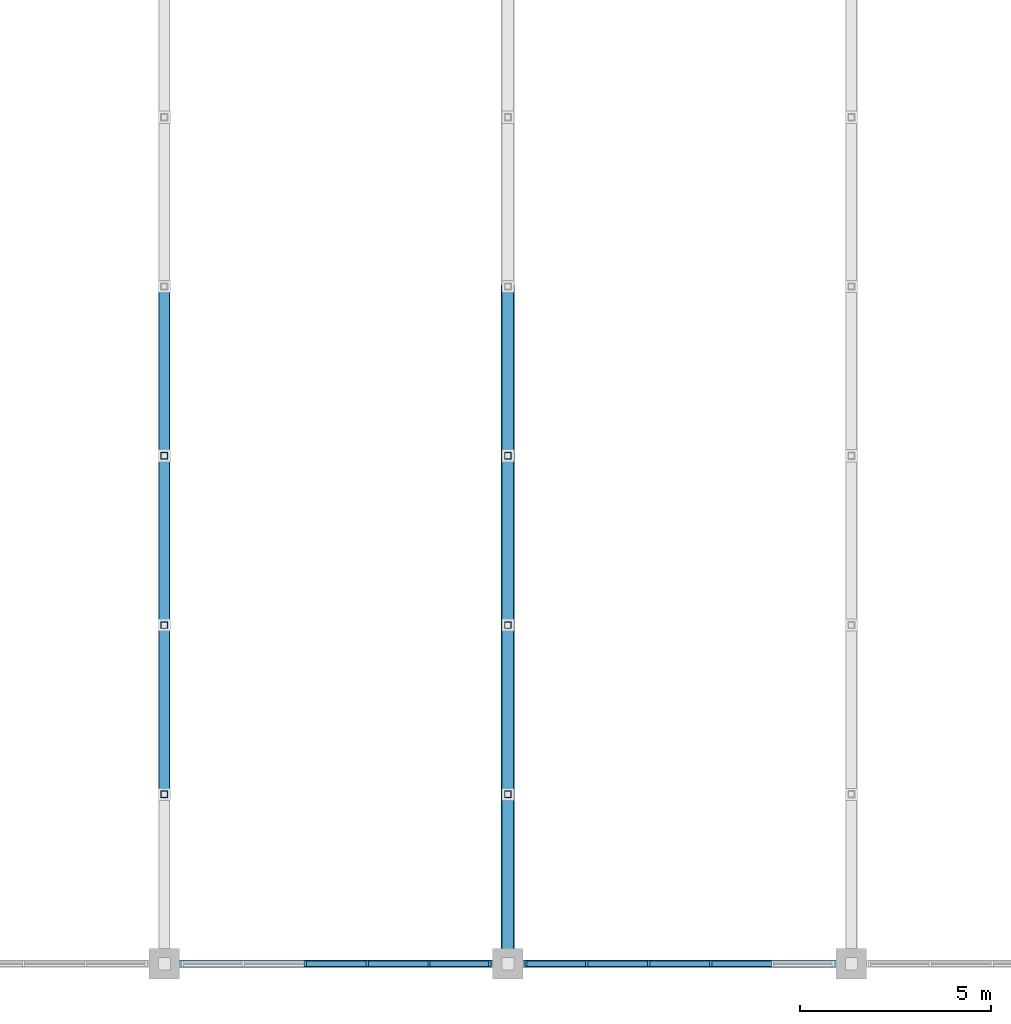
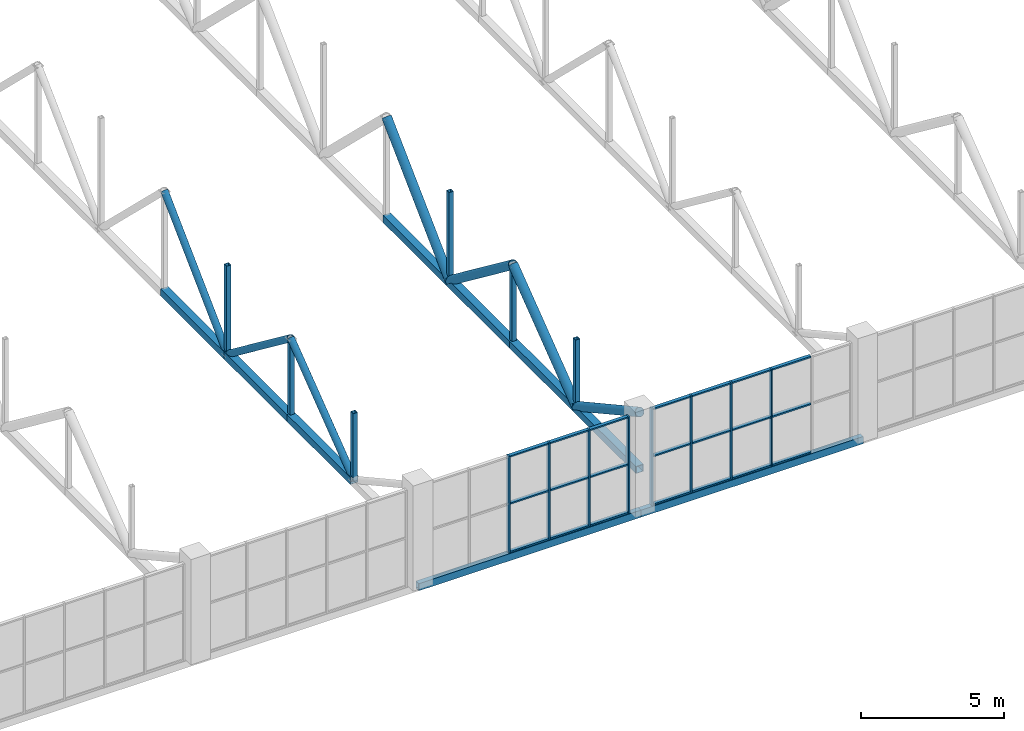
# One storey, part 51 of 103: 49 members, 2 beams, 2 elements without a shape of their own.
"""IFC4 building model written with IfcOpenShell, lengths in metres."""

from ifc_helpers import new_model, si_unit, direction, frame, origin, origin_2d, place, context, subcontext, project, spatial, rectangle, hollow_rectangle, hollow_circle, extrude, material, layer, layer_set, material_profile, profile_set, type_object, element, aggregate, save


model = new_model("IFC4")

# Units and contexts
model_context = context("Model", 3, precision=1e-05, world=origin(), true_north=direction((0.0, 1.0)))
body_context = subcontext(model_context, "Body", "Model", "MODEL_VIEW")
ifc_project = project(units=[si_unit("LENGTHUNIT", "METRE"), si_unit("AREAUNIT", "SQUARE_METRE"), si_unit("VOLUMEUNIT", "CUBIC_METRE"), si_unit("PLANEANGLEUNIT", "RADIAN"), si_unit("MASSUNIT", "GRAM", prefix="KILO")], contexts=[model_context])

# Site, building, storey
site_placement = place(None, origin())
site = spatial("IfcSite", under=ifc_project, at=site_placement, CompositionType="ELEMENT")
building_placement = place(site_placement, origin())
building = spatial("IfcBuilding", under=site, at=building_placement, Name="Cazmaro Siding Exhibition Halls", CompositionType="ELEMENT")
storey_placement = place(building_placement, frame((0.0, 0.0, 16.5)))
storey = spatial("IfcBuildingStorey", under=building, at=storey_placement, Name="L03", CompositionType="ELEMENT", Elevation=16.5)

# Curtain wall, members
ifc_material_1 = material(Name="Anodized Bronze Aluminum and Solar-Control Low-E Glazing", Category="aluminium")
ifc_layer = layer(ifc_material_1, 0.159912109375)
ifc_layer_set = layer_set([ifc_layer], Name="Anodized Bronze Aluminum and Solar-Control Low-E Glazing")
curtain_wall_type = type_object("IfcCurtainWallType", Name="CWS-04", PredefinedType="USERDEFINED", material=ifc_layer_set)
curtain_wall_1_placement = place(storey_placement, origin())
curtain_wall_1 = element("IfcCurtainWall", 1, at=curtain_wall_1_placement, inside=storey, type_object=curtain_wall_type, Name="Clerestory Curtain Wall CWS-04 CW-096", ObjectType="CLERESTORY CURTAIN WALL", PredefinedType="USERDEFINED")
ifc_material_2 = material(Name="Anodized Bronze Extruded Aluminum", Category="aluminium")
ifc_material_profile_1 = material_profile(ifc_material_2, rectangle(XDim=0.159912109375, YDim=0.06005859375, at=origin_2d()), Name="CWM-04")
ifc_profile_set_1 = profile_set([ifc_material_profile_1], Name="Anodized Bronze Extruded Aluminum")
member_type_1 = type_object("IfcMemberType", Name="CWM-04", PredefinedType="MULLION", material=ifc_profile_set_1)
member_1_placement = place(storey_placement, frame((147.68896484375, 9.25, 0.0), z_axis=(0.0, 0.0, 1.0), x_axis=(0.0, 1.0, 0.0)))
member_1 = element("IfcMember", 2, at=member_1_placement, type_object=member_type_1, Name="CWS-04 mullion 3", PredefinedType="MULLION", context=body_context, shape_type="SweptSolid", body=[
    extrude(rectangle(XDim=0.159912109375, YDim=0.06005859375, at=origin_2d()), origin(), (0.0, 0.0, 1.0), 4.14990234375),
])
member_2_placement = place(storey_placement, frame((149.31103515625, 9.25, 0.0), z_axis=(0.0, 0.0, 1.0), x_axis=(0.0, 1.0, 0.0)))
member_2 = element("IfcMember", 3, at=member_2_placement, type_object=member_type_1, Name="CWS-04 mullion 4", PredefinedType="MULLION", context=body_context, shape_type="SweptSolid", body=[
    extrude(rectangle(XDim=0.159912109375, YDim=0.06005859375, at=origin_2d()), origin(), (0.0, 0.0, 1.0), 4.14990234375),
])
member_3_placement = place(storey_placement, frame((150.93310546875, 9.25, 0.0), z_axis=(0.0, 0.0, 1.0), x_axis=(0.0, 1.0, 0.0)))
member_3 = element("IfcMember", 4, at=member_3_placement, type_object=member_type_1, Name="CWS-04 mullion 5", PredefinedType="MULLION", context=body_context, shape_type="SweptSolid", body=[
    extrude(rectangle(XDim=0.159912109375, YDim=0.06005859375, at=origin_2d()), origin(), (0.0, 0.0, 1.0), 4.14990234375),
])
member_4_placement = place(storey_placement, frame((152.52490234375, 9.25, 0.0), z_axis=(0.0, 0.0, 1.0), x_axis=(0.0, 1.0, 0.0)))
member_4 = element("IfcMember", 5, at=member_4_placement, type_object=member_type_1, Name="CWS-04 mullion 6", PredefinedType="MULLION", context=body_context, shape_type="SweptSolid", body=[
    extrude(rectangle(XDim=0.159912109375, YDim=0.06005859375, at=origin_2d()), origin(), (0.0, 0.0, 1.0), 4.14990234375),
])

curtain_wall_2_placement = place(storey_placement, origin())
curtain_wall_2 = element("IfcCurtainWall", 6, at=curtain_wall_2_placement, inside=storey, type_object=curtain_wall_type, Name="Clerestory Curtain Wall CWS-04 CW-098", ObjectType="CLERESTORY CURTAIN WALL", PredefinedType="USERDEFINED")
member_5_placement = place(storey_placement, frame((153.47509765625, 9.25, 0.0), z_axis=(0.0, 0.0, 1.0), x_axis=(0.0, 1.0, 0.0)))
member_5 = element("IfcMember", 7, at=member_5_placement, type_object=member_type_1, Name="CWS-04 mullion 1", PredefinedType="MULLION", context=body_context, shape_type="SweptSolid", body=[
    extrude(rectangle(XDim=0.159912109375, YDim=0.06005859375, at=origin_2d()), origin(), (0.0, 0.0, 1.0), 4.14990234375),
])
member_6_placement = place(storey_placement, frame((155.06689453125, 9.25, 0.0), z_axis=(0.0, 0.0, 1.0), x_axis=(0.0, 1.0, 0.0)))
member_6 = element("IfcMember", 8, at=member_6_placement, type_object=member_type_1, Name="CWS-04 mullion 2", PredefinedType="MULLION", context=body_context, shape_type="SweptSolid", body=[
    extrude(rectangle(XDim=0.159912109375, YDim=0.06005859375, at=origin_2d()), origin(), (0.0, 0.0, 1.0), 4.14990234375),
])
member_7_placement = place(storey_placement, frame((156.68896484375, 9.25, 0.0), z_axis=(0.0, 0.0, 1.0), x_axis=(0.0, 1.0, 0.0)))
member_7 = element("IfcMember", 9, at=member_7_placement, type_object=member_type_1, Name="CWS-04 mullion 3", PredefinedType="MULLION", context=body_context, shape_type="SweptSolid", body=[
    extrude(rectangle(XDim=0.159912109375, YDim=0.06005859375, at=origin_2d()), origin(), (0.0, 0.0, 1.0), 4.14990234375),
])
member_8_placement = place(storey_placement, frame((158.31103515625, 9.25, 0.0), z_axis=(0.0, 0.0, 1.0), x_axis=(0.0, 1.0, 0.0)))
member_8 = element("IfcMember", 10, at=member_8_placement, type_object=member_type_1, Name="CWS-04 mullion 4", PredefinedType="MULLION", context=body_context, shape_type="SweptSolid", body=[
    extrude(rectangle(XDim=0.159912109375, YDim=0.06005859375, at=origin_2d()), origin(), (0.0, 0.0, 1.0), 4.14990234375),
])

# Member
ifc_material_3 = material(Name="Anodized Bronze Extruded Aluminum", Category="aluminium")
ifc_material_profile_2 = material_profile(ifc_material_3, rectangle(XDim=0.139892578125, YDim=0.06005859375, at=origin_2d()), Name="CWT-04")
ifc_profile_set_2 = profile_set([ifc_material_profile_2], Name="Anodized Bronze Extruded Aluminum")
member_type_2 = type_object("IfcMemberType", Name="CWT-04", PredefinedType="MULLION", material=ifc_profile_set_2)
member_9_placement = place(storey_placement, frame((147.718994140625, 9.25, 0.030029296875), z_axis=(1.0, 0.0, 0.0), x_axis=(0.0, 1.0, 0.0)))
member_9 = element("IfcMember", 11, at=member_9_placement, type_object=member_type_2, Name="CWS-04 transom 3.1", ObjectType="TRANSOM", PredefinedType="USERDEFINED", context=body_context, shape_type="SweptSolid", body=[
    extrude(rectangle(XDim=0.139892578125, YDim=0.06005859375, at=origin_2d()), origin(), (0.0, 0.0, 1.0), 1.56201171875),
])

member_10_placement = place(storey_placement, frame((147.718994140625, 9.25, 2.10009765625), z_axis=(1.0, 0.0, 0.0), x_axis=(0.0, 1.0, 0.0)))
member_10 = element("IfcMember", 12, at=member_10_placement, type_object=member_type_2, Name="CWS-04 transom 3.2", ObjectType="TRANSOM", PredefinedType="USERDEFINED", context=body_context, shape_type="SweptSolid", body=[
    extrude(rectangle(XDim=0.139892578125, YDim=0.06005859375, at=origin_2d()), origin(), (0.0, 0.0, 1.0), 1.56201171875),
])

member_11_placement = place(storey_placement, frame((147.718994140625, 9.25, 4.1201171875), z_axis=(1.0, 0.0, 0.0), x_axis=(0.0, 1.0, 0.0)))
member_11 = element("IfcMember", 13, at=member_11_placement, type_object=member_type_2, Name="CWS-04 transom 3.3", ObjectType="TRANSOM", PredefinedType="USERDEFINED", context=body_context, shape_type="SweptSolid", body=[
    extrude(rectangle(XDim=0.139892578125, YDim=0.06005859375, at=origin_2d()), origin(), (0.0, 0.0, 1.0), 1.56201171875),
])

member_12_placement = place(storey_placement, frame((149.341064453125, 9.25, 0.030029296875), z_axis=(1.0, 0.0, 0.0), x_axis=(0.0, 1.0, 0.0)))
member_12 = element("IfcMember", 14, at=member_12_placement, type_object=member_type_2, Name="CWS-04 transom 4.1", ObjectType="TRANSOM", PredefinedType="USERDEFINED", context=body_context, shape_type="SweptSolid", body=[
    extrude(rectangle(XDim=0.139892578125, YDim=0.06005859375, at=origin_2d()), origin(), (0.0, 0.0, 1.0), 1.56201171875),
])

member_13_placement = place(storey_placement, frame((149.341064453125, 9.25, 2.10009765625), z_axis=(1.0, 0.0, 0.0), x_axis=(0.0, 1.0, 0.0)))
member_13 = element("IfcMember", 15, at=member_13_placement, type_object=member_type_2, Name="CWS-04 transom 4.2", ObjectType="TRANSOM", PredefinedType="USERDEFINED", context=body_context, shape_type="SweptSolid", body=[
    extrude(rectangle(XDim=0.139892578125, YDim=0.06005859375, at=origin_2d()), origin(), (0.0, 0.0, 1.0), 1.56201171875),
])

member_14_placement = place(storey_placement, frame((149.341064453125, 9.25, 4.1201171875), z_axis=(1.0, 0.0, 0.0), x_axis=(0.0, 1.0, 0.0)))
member_14 = element("IfcMember", 16, at=member_14_placement, type_object=member_type_2, Name="CWS-04 transom 4.3", ObjectType="TRANSOM", PredefinedType="USERDEFINED", context=body_context, shape_type="SweptSolid", body=[
    extrude(rectangle(XDim=0.139892578125, YDim=0.06005859375, at=origin_2d()), origin(), (0.0, 0.0, 1.0), 1.56201171875),
])

member_15_placement = place(storey_placement, frame((150.962890625, 9.25, 0.030029296875), z_axis=(1.0, 0.0, 0.0), x_axis=(0.0, 1.0, 0.0)))
member_15 = element("IfcMember", 17, at=member_15_placement, type_object=member_type_2, Name="CWS-04 transom 5.1", ObjectType="TRANSOM", PredefinedType="USERDEFINED", context=body_context, shape_type="SweptSolid", body=[
    extrude(rectangle(XDim=0.139892578125, YDim=0.06005859375, at=origin_2d()), origin(), (0.0, 0.0, 1.0), 1.5322265625),
])

member_16_placement = place(storey_placement, frame((150.962890625, 9.25, 2.10009765625), z_axis=(1.0, 0.0, 0.0), x_axis=(0.0, 1.0, 0.0)))
member_16 = element("IfcMember", 18, at=member_16_placement, type_object=member_type_2, Name="CWS-04 transom 5.2", ObjectType="TRANSOM", PredefinedType="USERDEFINED", context=body_context, shape_type="SweptSolid", body=[
    extrude(rectangle(XDim=0.139892578125, YDim=0.06005859375, at=origin_2d()), origin(), (0.0, 0.0, 1.0), 1.5322265625),
])

member_17_placement = place(storey_placement, frame((150.962890625, 9.25, 4.1201171875), z_axis=(1.0, 0.0, 0.0), x_axis=(0.0, 1.0, 0.0)))
member_17 = element("IfcMember", 19, at=member_17_placement, type_object=member_type_2, Name="CWS-04 transom 5.3", ObjectType="TRANSOM", PredefinedType="USERDEFINED", context=body_context, shape_type="SweptSolid", body=[
    extrude(rectangle(XDim=0.139892578125, YDim=0.06005859375, at=origin_2d()), origin(), (0.0, 0.0, 1.0), 1.5322265625),
])

aggregate(curtain_wall_1, [member_1, member_2, member_3, member_4, member_9, member_10, member_11, member_12, member_13, member_14, member_15, member_16, member_17])

member_18_placement = place(storey_placement, frame((153.5048828125, 9.25, 0.030029296875), z_axis=(1.0, 0.0, 0.0), x_axis=(0.0, 1.0, 0.0)))
member_18 = element("IfcMember", 20, at=member_18_placement, type_object=member_type_2, Name="CWS-04 transom 1.1", ObjectType="TRANSOM", PredefinedType="USERDEFINED", context=body_context, shape_type="SweptSolid", body=[
    extrude(rectangle(XDim=0.139892578125, YDim=0.06005859375, at=origin_2d()), origin(), (0.0, 0.0, 1.0), 1.5322265625),
])

member_19_placement = place(storey_placement, frame((153.5048828125, 9.25, 2.10009765625), z_axis=(1.0, 0.0, 0.0), x_axis=(0.0, 1.0, 0.0)))
member_19 = element("IfcMember", 21, at=member_19_placement, type_object=member_type_2, Name="CWS-04 transom 1.2", ObjectType="TRANSOM", PredefinedType="USERDEFINED", context=body_context, shape_type="SweptSolid", body=[
    extrude(rectangle(XDim=0.139892578125, YDim=0.06005859375, at=origin_2d()), origin(), (0.0, 0.0, 1.0), 1.5322265625),
])

member_20_placement = place(storey_placement, frame((153.5048828125, 9.25, 4.1201171875), z_axis=(1.0, 0.0, 0.0), x_axis=(0.0, 1.0, 0.0)))
member_20 = element("IfcMember", 22, at=member_20_placement, type_object=member_type_2, Name="CWS-04 transom 1.3", ObjectType="TRANSOM", PredefinedType="USERDEFINED", context=body_context, shape_type="SweptSolid", body=[
    extrude(rectangle(XDim=0.139892578125, YDim=0.06005859375, at=origin_2d()), origin(), (0.0, 0.0, 1.0), 1.5322265625),
])

member_21_placement = place(storey_placement, frame((155.096923828125, 9.25, 0.030029296875), z_axis=(1.0, 0.0, 0.0), x_axis=(0.0, 1.0, 0.0)))
member_21 = element("IfcMember", 23, at=member_21_placement, type_object=member_type_2, Name="CWS-04 transom 2.1", ObjectType="TRANSOM", PredefinedType="USERDEFINED", context=body_context, shape_type="SweptSolid", body=[
    extrude(rectangle(XDim=0.139892578125, YDim=0.06005859375, at=origin_2d()), origin(), (0.0, 0.0, 1.0), 1.56201171875),
])

member_22_placement = place(storey_placement, frame((155.096923828125, 9.25, 2.10009765625), z_axis=(1.0, 0.0, 0.0), x_axis=(0.0, 1.0, 0.0)))
member_22 = element("IfcMember", 24, at=member_22_placement, type_object=member_type_2, Name="CWS-04 transom 2.2", ObjectType="TRANSOM", PredefinedType="USERDEFINED", context=body_context, shape_type="SweptSolid", body=[
    extrude(rectangle(XDim=0.139892578125, YDim=0.06005859375, at=origin_2d()), origin(), (0.0, 0.0, 1.0), 1.56201171875),
])

member_23_placement = place(storey_placement, frame((155.096923828125, 9.25, 4.1201171875), z_axis=(1.0, 0.0, 0.0), x_axis=(0.0, 1.0, 0.0)))
member_23 = element("IfcMember", 25, at=member_23_placement, type_object=member_type_2, Name="CWS-04 transom 2.3", ObjectType="TRANSOM", PredefinedType="USERDEFINED", context=body_context, shape_type="SweptSolid", body=[
    extrude(rectangle(XDim=0.139892578125, YDim=0.06005859375, at=origin_2d()), origin(), (0.0, 0.0, 1.0), 1.56201171875),
])

member_24_placement = place(storey_placement, frame((156.718994140625, 9.25, 0.030029296875), z_axis=(1.0, 0.0, 0.0), x_axis=(0.0, 1.0, 0.0)))
member_24 = element("IfcMember", 26, at=member_24_placement, type_object=member_type_2, Name="CWS-04 transom 3.1", ObjectType="TRANSOM", PredefinedType="USERDEFINED", context=body_context, shape_type="SweptSolid", body=[
    extrude(rectangle(XDim=0.139892578125, YDim=0.06005859375, at=origin_2d()), origin(), (0.0, 0.0, 1.0), 1.56201171875),
])

member_25_placement = place(storey_placement, frame((156.718994140625, 9.25, 2.10009765625), z_axis=(1.0, 0.0, 0.0), x_axis=(0.0, 1.0, 0.0)))
member_25 = element("IfcMember", 27, at=member_25_placement, type_object=member_type_2, Name="CWS-04 transom 3.2", ObjectType="TRANSOM", PredefinedType="USERDEFINED", context=body_context, shape_type="SweptSolid", body=[
    extrude(rectangle(XDim=0.139892578125, YDim=0.06005859375, at=origin_2d()), origin(), (0.0, 0.0, 1.0), 1.56201171875),
])

member_26_placement = place(storey_placement, frame((156.718994140625, 9.25, 4.1201171875), z_axis=(1.0, 0.0, 0.0), x_axis=(0.0, 1.0, 0.0)))
member_26 = element("IfcMember", 28, at=member_26_placement, type_object=member_type_2, Name="CWS-04 transom 3.3", ObjectType="TRANSOM", PredefinedType="USERDEFINED", context=body_context, shape_type="SweptSolid", body=[
    extrude(rectangle(XDim=0.139892578125, YDim=0.06005859375, at=origin_2d()), origin(), (0.0, 0.0, 1.0), 1.56201171875),
])

member_27_placement = place(storey_placement, frame((158.341064453125, 9.25, 0.030029296875), z_axis=(1.0, 0.0, 0.0), x_axis=(0.0, 1.0, 0.0)))
member_27 = element("IfcMember", 29, at=member_27_placement, type_object=member_type_2, Name="CWS-04 transom 4.1", ObjectType="TRANSOM", PredefinedType="USERDEFINED", context=body_context, shape_type="SweptSolid", body=[
    extrude(rectangle(XDim=0.139892578125, YDim=0.06005859375, at=origin_2d()), origin(), (0.0, 0.0, 1.0), 1.56201171875),
])

member_28_placement = place(storey_placement, frame((158.341064453125, 9.25, 2.10009765625), z_axis=(1.0, 0.0, 0.0), x_axis=(0.0, 1.0, 0.0)))
member_28 = element("IfcMember", 30, at=member_28_placement, type_object=member_type_2, Name="CWS-04 transom 4.2", ObjectType="TRANSOM", PredefinedType="USERDEFINED", context=body_context, shape_type="SweptSolid", body=[
    extrude(rectangle(XDim=0.139892578125, YDim=0.06005859375, at=origin_2d()), origin(), (0.0, 0.0, 1.0), 1.56201171875),
])

member_29_placement = place(storey_placement, frame((158.341064453125, 9.25, 4.1201171875), z_axis=(1.0, 0.0, 0.0), x_axis=(0.0, 1.0, 0.0)))
member_29 = element("IfcMember", 31, at=member_29_placement, type_object=member_type_2, Name="CWS-04 transom 4.3", ObjectType="TRANSOM", PredefinedType="USERDEFINED", context=body_context, shape_type="SweptSolid", body=[
    extrude(rectangle(XDim=0.139892578125, YDim=0.06005859375, at=origin_2d()), origin(), (0.0, 0.0, 1.0), 1.56201171875),
])

aggregate(curtain_wall_2, [member_5, member_6, member_7, member_8, member_18, member_19, member_20, member_21, member_22, member_23, member_24, member_25, member_26, member_27, member_28, member_29])

# Beams
ifc_material_4 = material(Name="Steel ASTM A500 Grade C", Category="steel")
ifc_material_profile_3 = material_profile(ifc_material_4, hollow_rectangle(XDim=0.202880859375, YDim=0.304931640625, WallThickness=0.011962890625, at=origin_2d()), Name="HSS12X8X1/2")
ifc_profile_set_3 = profile_set([ifc_material_profile_3], Name="Steel ASTM A500 Grade C")
beam_type = type_object("IfcBeamType", Name="SP-01", PredefinedType="SPANDREL", material=ifc_profile_set_3)
for number, where, z_axis, x_axis, name in (
    (32, (144.0, 9.25, -0.152099609375), (1.0, 0.0, 0.0), (0.0, 1.0, 0.0), "Beam SP-01 BM-1515"),
    (33, (153.0, 9.25, -0.152099609375), (1.0, 0.0, 0.0), (0.0, 1.0, 0.0), "Beam SP-01 BM-1519"),
):
    element("IfcBeam", number, at=place(storey_placement, frame(where, z_axis=z_axis, x_axis=x_axis)), inside=storey, type_object=beam_type, Name=name, PredefinedType="SPANDREL", context=body_context, shape_type="SweptSolid", body=[
        extrude(hollow_rectangle(XDim=0.202880859375, YDim=0.304931640625, WallThickness=0.011962890625, at=origin_2d()), origin(), (0.0, 0.0, 1.0), 9.0),
    ])

# Members
ifc_material_5 = material(Name="Steel ASTM A500 Grade C", Category="steel")
ifc_material_profile_4 = material_profile(ifc_material_5, hollow_rectangle(XDim=0.304931640625, YDim=0.304931640625, WallThickness=0.014892578125, at=origin_2d()), Name="HSS12X12X5/8")
ifc_profile_set_4 = profile_set([ifc_material_profile_4], Name="Steel ASTM A500 Grade C")
member_type_3 = type_object("IfcMemberType", Name="TC-02", PredefinedType="CHORD", material=ifc_profile_set_4)
member_30_placement = place(storey_placement, frame((144.0, 13.68505859375, 1.699951171875), z_axis=(0.0, 1.0, 0.0), x_axis=(-1.0, 0.0, 0.0)))
element("IfcMember", 34, at=member_30_placement, inside=storey, type_object=member_type_3, Name="Warren roof truss bottom chord TC-02 MEM-2618", PredefinedType="CHORD", context=body_context, shape_type="SweptSolid", body=[
    extrude(hollow_rectangle(XDim=0.304931640625, YDim=0.304931640625, WallThickness=0.014892578125, at=origin_2d()), origin(), (0.0, 0.0, 1.0), 4.43505859375),
])
member_31_placement = place(storey_placement, frame((144.0, 18.1201171875, 1.699951171875), z_axis=(0.0, 1.0, 0.0), x_axis=(-1.0, 0.0, 0.0)))
element("IfcMember", 35, at=member_31_placement, inside=storey, type_object=member_type_3, Name="Warren roof truss bottom chord TC-02 MEM-2621", PredefinedType="CHORD", context=body_context, shape_type="SweptSolid", body=[
    extrude(hollow_rectangle(XDim=0.304931640625, YDim=0.304931640625, WallThickness=0.014892578125, at=origin_2d()), origin(), (0.0, 0.0, 1.0), 4.434814453125),
])
for number, where, z_axis, x_axis, name in (
    (36, (144.0, 22.554931640625, 1.699951171875), (0.0, 1.0, 0.0), (-1.0, 0.0, 0.0), "Warren roof truss bottom chord TC-02 MEM-2624"),
    (37, (153.0, 9.25, 1.699951171875), (0.0, 1.0, 0.0), (-1.0, 0.0, 0.0), "Warren roof truss bottom chord TC-02 MEM-2654"),
    (38, (153.0, 13.68505859375, 1.699951171875), (0.0, 1.0, 0.0), (-1.0, 0.0, 0.0), "Warren roof truss bottom chord TC-02 MEM-2657"),
):
    element("IfcMember", number, at=place(storey_placement, frame(where, z_axis=z_axis, x_axis=x_axis)), inside=storey, type_object=member_type_3, Name=name, PredefinedType="CHORD", context=body_context, shape_type="SweptSolid", body=[
        extrude(hollow_rectangle(XDim=0.304931640625, YDim=0.304931640625, WallThickness=0.014892578125, at=origin_2d()), origin(), (0.0, 0.0, 1.0), 4.43505859375),
    ])
member_32_placement = place(storey_placement, frame((153.0, 18.1201171875, 1.699951171875), z_axis=(0.0, 1.0, 0.0), x_axis=(-1.0, 0.0, 0.0)))
element("IfcMember", 39, at=member_32_placement, inside=storey, type_object=member_type_3, Name="Warren roof truss bottom chord TC-02 MEM-2660", PredefinedType="CHORD", context=body_context, shape_type="SweptSolid", body=[
    extrude(hollow_rectangle(XDim=0.304931640625, YDim=0.304931640625, WallThickness=0.014892578125, at=origin_2d()), origin(), (0.0, 0.0, 1.0), 4.434814453125),
])
member_33_placement = place(storey_placement, frame((153.0, 22.554931640625, 1.699951171875), z_axis=(0.0, 1.0, 0.0), x_axis=(-1.0, 0.0, 0.0)))
element("IfcMember", 40, at=member_33_placement, inside=storey, type_object=member_type_3, Name="Warren roof truss bottom chord TC-02 MEM-2663", PredefinedType="CHORD", context=body_context, shape_type="SweptSolid", body=[
    extrude(hollow_rectangle(XDim=0.304931640625, YDim=0.304931640625, WallThickness=0.014892578125, at=origin_2d()), origin(), (0.0, 0.0, 1.0), 4.43505859375),
])
ifc_material_6 = material(Name="Steel ASTM A500 Grade C", Category="steel")
ifc_material_profile_5 = material_profile(ifc_material_6, hollow_rectangle(XDim=0.177978515625, YDim=0.177978515625, WallThickness=0.011962890625, at=origin_2d()), Name="HSS7X7X1/2")
ifc_profile_set_5 = profile_set([ifc_material_profile_5], Name="Steel ASTM A500 Grade C")
member_type_4 = type_object("IfcMemberType", Name="TP-02", PredefinedType="POST", material=ifc_profile_set_5)
member_34_placement = place(storey_placement, frame((144.0, 13.68505859375, 1.699951171875), z_axis=(0.0, 0.0, 1.0), x_axis=(1.0, 0.0, 0.0)))
element("IfcMember", 41, at=member_34_placement, inside=storey, type_object=member_type_4, Name="Warren roof truss vertical TP-02 MEM-2644", PredefinedType="POST", context=body_context, shape_type="SweptSolid", body=[
    extrude(hollow_rectangle(XDim=0.177978515625, YDim=0.177978515625, WallThickness=0.011962890625, at=origin_2d()), origin(), (0.0, 0.0, 1.0), 2.906005859375),
])
member_35_placement = place(storey_placement, frame((144.0, 18.1201171875, 1.699951171875), z_axis=(0.0, 0.0, 1.0), x_axis=(1.0, 0.0, 0.0)))
element("IfcMember", 42, at=member_35_placement, inside=storey, type_object=member_type_4, Name="Warren roof truss vertical TP-02 MEM-2645", PredefinedType="POST", context=body_context, shape_type="SweptSolid", body=[
    extrude(hollow_rectangle(XDim=0.177978515625, YDim=0.177978515625, WallThickness=0.011962890625, at=origin_2d()), origin(), (0.0, 0.0, 1.0), 3.373046875),
])
member_36_placement = place(storey_placement, frame((144.0, 22.554931640625, 1.699951171875), z_axis=(0.0, 0.0, 1.0), x_axis=(1.0, 0.0, 0.0)))
element("IfcMember", 43, at=member_36_placement, inside=storey, type_object=member_type_4, Name="Warren roof truss vertical TP-02 MEM-2646", PredefinedType="POST", context=body_context, shape_type="SweptSolid", body=[
    extrude(hollow_rectangle(XDim=0.177978515625, YDim=0.177978515625, WallThickness=0.011962890625, at=origin_2d()), origin(), (0.0, 0.0, 1.0), 3.839111328125),
])
member_37_placement = place(storey_placement, frame((153.0, 13.68505859375, 1.699951171875), z_axis=(0.0, 0.0, 1.0), x_axis=(1.0, 0.0, 0.0)))
element("IfcMember", 44, at=member_37_placement, inside=storey, type_object=member_type_4, Name="Warren roof truss vertical TP-02 MEM-2683", PredefinedType="POST", context=body_context, shape_type="SweptSolid", body=[
    extrude(hollow_rectangle(XDim=0.177978515625, YDim=0.177978515625, WallThickness=0.011962890625, at=origin_2d()), origin(), (0.0, 0.0, 1.0), 2.906005859375),
])
member_38_placement = place(storey_placement, frame((153.0, 18.1201171875, 1.699951171875), z_axis=(0.0, 0.0, 1.0), x_axis=(1.0, 0.0, 0.0)))
element("IfcMember", 45, at=member_38_placement, inside=storey, type_object=member_type_4, Name="Warren roof truss vertical TP-02 MEM-2684", PredefinedType="POST", context=body_context, shape_type="SweptSolid", body=[
    extrude(hollow_rectangle(XDim=0.177978515625, YDim=0.177978515625, WallThickness=0.011962890625, at=origin_2d()), origin(), (0.0, 0.0, 1.0), 3.373046875),
])
member_39_placement = place(storey_placement, frame((153.0, 22.554931640625, 1.699951171875), z_axis=(0.0, 0.0, 1.0), x_axis=(1.0, 0.0, 0.0)))
element("IfcMember", 46, at=member_39_placement, inside=storey, type_object=member_type_4, Name="Warren roof truss vertical TP-02 MEM-2685", PredefinedType="POST", context=body_context, shape_type="SweptSolid", body=[
    extrude(hollow_rectangle(XDim=0.177978515625, YDim=0.177978515625, WallThickness=0.011962890625, at=origin_2d()), origin(), (0.0, 0.0, 1.0), 3.839111328125),
])
ifc_material_7 = material(Name="Steel ASTM A500 Grade C", Category="steel")
ifc_material_profile_6 = material_profile(ifc_material_7, hollow_circle(Radius=0.136474609375, WallThickness=0.012939453125, at=origin_2d()), Name="PIPE10XS")
ifc_profile_set_6 = profile_set([ifc_material_profile_6], Name="Steel ASTM A500 Grade C")
member_type_5 = type_object("IfcMemberType", Name="WB-02", PredefinedType="BRACE", material=ifc_profile_set_6)
member_40_placement = place(storey_placement, frame((144.0, 13.68505859375, 1.699951171875), z_axis=(0.0, 0.795954445209, 0.605356524002), x_axis=(-1.0, 0.0, 0.0)))
element("IfcMember", 47, at=member_40_placement, inside=storey, type_object=member_type_5, Name="Warren roof truss diagonal WB-02 MEM-2619", PredefinedType="BRACE", context=body_context, shape_type="SweptSolid", body=[
    extrude(hollow_circle(Radius=0.136474609375, WallThickness=0.012939453125, at=origin_2d()), origin(), (0.0, 0.0, 1.0), 5.572021484375),
])
member_41_placement = place(storey_placement, frame((144.0, 18.1201171875, 5.072998046875), z_axis=(0.0, 0.795938387852, -0.605377636475), x_axis=(-1.0, 0.0, 0.0)))
element("IfcMember", 48, at=member_41_placement, inside=storey, type_object=member_type_5, Name="Warren roof truss diagonal WB-02 MEM-2622", PredefinedType="BRACE", context=body_context, shape_type="SweptSolid", body=[
    extrude(hollow_circle(Radius=0.136474609375, WallThickness=0.012939453125, at=origin_2d()), origin(), (0.0, 0.0, 1.0), 5.57177734375),
])
member_42_placement = place(storey_placement, frame((144.0, 22.554931640625, 1.699951171875), z_axis=(0.0, 0.717555143773, 0.696501698236), x_axis=(-1.0, 0.0, 0.0)))
element("IfcMember", 49, at=member_42_placement, inside=storey, type_object=member_type_5, Name="Warren roof truss diagonal WB-02 MEM-2625", PredefinedType="BRACE", context=body_context, shape_type="SweptSolid", body=[
    extrude(hollow_circle(Radius=0.136474609375, WallThickness=0.012939453125, at=origin_2d()), origin(), (0.0, 0.0, 1.0), 6.180908203125),
])
ifc_material_8 = material(Name="Steel ASTM A500 Grade C", Category="steel")
ifc_material_profile_7 = material_profile(ifc_material_8, hollow_circle(Radius=0.177978515625, WallThickness=0.012939453125, at=origin_2d()), Name="PIPE14XS")
ifc_profile_set_7 = profile_set([ifc_material_profile_7], Name="Steel ASTM A500 Grade C")
member_type_6 = type_object("IfcMemberType", Name="WB-06", PredefinedType="BRACE", material=ifc_profile_set_7)
member_43_placement = place(storey_placement, frame((153.0, 9.25, 4.139892578125), z_axis=(0.0, 0.876160914294, -0.482018726051), x_axis=(-1.0, 0.0, 0.0)))
element("IfcMember", 50, at=member_43_placement, inside=storey, type_object=member_type_6, Name="Warren roof truss diagonal WB-06 MEM-2655", PredefinedType="BRACE", context=body_context, shape_type="SweptSolid", body=[
    extrude(hollow_circle(Radius=0.177978515625, WallThickness=0.012939453125, at=origin_2d()), origin(), (0.0, 0.0, 1.0), 5.06201171875),
])
member_44_placement = place(storey_placement, frame((153.0, 13.68505859375, 1.699951171875), z_axis=(0.0, 0.795954445209, 0.605356524002), x_axis=(-1.0, 0.0, 0.0)))
element("IfcMember", 51, at=member_44_placement, inside=storey, type_object=member_type_6, Name="Warren roof truss diagonal WB-06 MEM-2658", PredefinedType="BRACE", context=body_context, shape_type="SweptSolid", body=[
    extrude(hollow_circle(Radius=0.177978515625, WallThickness=0.012939453125, at=origin_2d()), origin(), (0.0, 0.0, 1.0), 5.572021484375),
])
member_45_placement = place(storey_placement, frame((153.0, 18.1201171875, 5.072998046875), z_axis=(0.0, 0.795938387852, -0.605377636475), x_axis=(-1.0, 0.0, 0.0)))
element("IfcMember", 52, at=member_45_placement, inside=storey, type_object=member_type_6, Name="Warren roof truss diagonal WB-06 MEM-2661", PredefinedType="BRACE", context=body_context, shape_type="SweptSolid", body=[
    extrude(hollow_circle(Radius=0.177978515625, WallThickness=0.012939453125, at=origin_2d()), origin(), (0.0, 0.0, 1.0), 5.57177734375),
])
member_46_placement = place(storey_placement, frame((153.0, 22.554931640625, 1.699951171875), z_axis=(0.0, 0.717555143773, 0.696501698236), x_axis=(-1.0, 0.0, 0.0)))
element("IfcMember", 53, at=member_46_placement, inside=storey, type_object=member_type_6, Name="Warren roof truss diagonal WB-06 MEM-2664", PredefinedType="BRACE", context=body_context, shape_type="SweptSolid", body=[
    extrude(hollow_circle(Radius=0.177978515625, WallThickness=0.012939453125, at=origin_2d()), origin(), (0.0, 0.0, 1.0), 6.180908203125),
])

save(model, "model.ifc")
